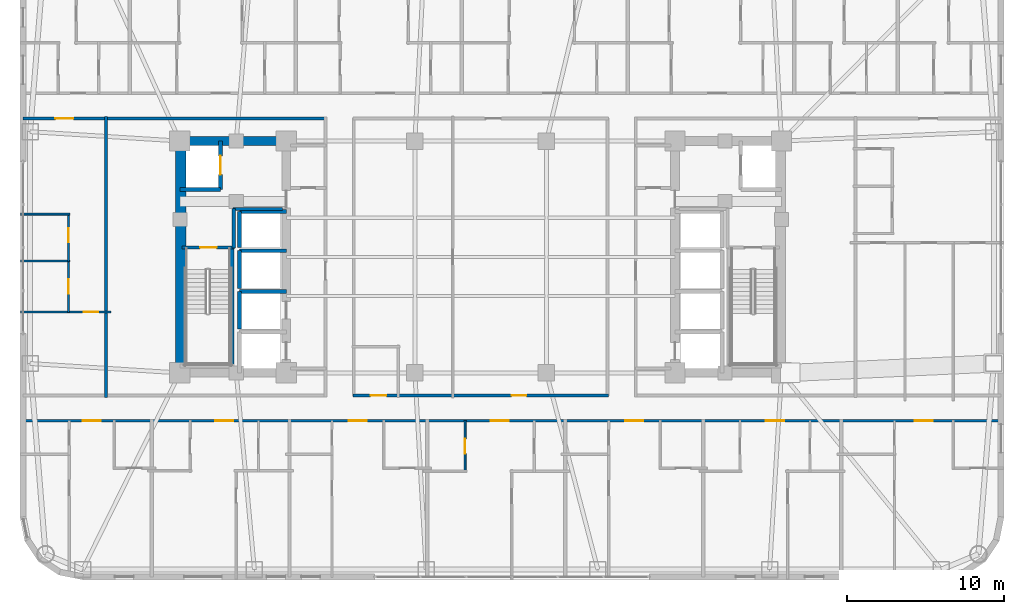
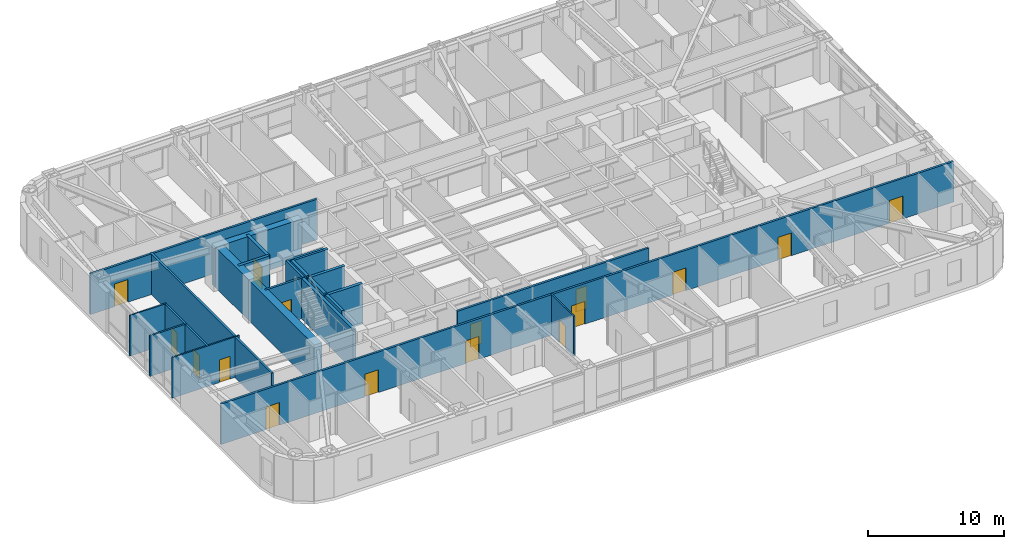
# One storey, part 21 of 28: 24 walls, 16 doors, 16 openings.
"""IFC4 building model written with IfcOpenShell, lengths in metres."""

from ifc_helpers import new_model, si_unit, direction, frame, frame_2d, origin, place, context, subcontext, project, spatial, rectangle, extrude, material, layer, layer_set, type_object, element, fill, save


model = new_model("IFC4")

# Units and contexts
model_context = context("Model", 3, precision=1e-05, world=origin(), true_north=direction((0.0, 1.0)))
body_context = subcontext(model_context, "Body", "Model", "MODEL_VIEW")
ifc_project = project(units=[si_unit("LENGTHUNIT", "METRE"), si_unit("AREAUNIT", "SQUARE_METRE"), si_unit("VOLUMEUNIT", "CUBIC_METRE"), si_unit("PLANEANGLEUNIT", "RADIAN"), si_unit("MASSUNIT", "GRAM", prefix="KILO")], contexts=[model_context])

# Site, building, storey
site_placement = place(None, origin())
site = spatial("IfcSite", under=ifc_project, at=site_placement, CompositionType="ELEMENT")
building_placement = place(site_placement, origin())
building = spatial("IfcBuilding", under=site, at=building_placement, Name="Voryun Gate Residences", CompositionType="ELEMENT")
storey_placement = place(building_placement, frame((0.0, 0.0, 117.0)))
storey = spatial("IfcBuildingStorey", under=building, at=storey_placement, Name="L28", CompositionType="ELEMENT", Elevation=117.0)

# Walls
ifc_material_1 = material(Name="Concrete C60/75", Category="concrete")
ifc_layer_1 = layer(ifc_material_1, 0.550048828125, Name="CW_CORE_550")
ifc_layer_set_1 = layer_set([ifc_layer_1], Name="Concrete C60/75")
wall_type_1 = type_object("IfcWallType", Name="CW_CORE_550", PredefinedType="SHEAR", material=ifc_layer_set_1)
wall_1_placement = place(storey_placement, frame((-19.47509765625, 7.39990234375, 0.0), z_axis=(0.0, 0.0, 1.0), x_axis=(1.0, 0.0, 0.0)))
element("IfcWall", 1, at=wall_1_placement, inside=storey, type_object=wall_type_1, Name="L28 Core shear wall CW-L28-WN", PredefinedType="SHEAR", context=body_context, shape_type="SweptSolid", body=[
    extrude(rectangle(XDim=7.35009765625, YDim=0.550048828125, at=frame_2d((3.675048828125, 0.0))), origin(), (0.0, 0.0, 1.0), 3.64990234375),
])
ifc_material_2 = material(Name="Concrete C60/75", Category="concrete")
ifc_layer_2 = layer(ifc_material_2, 0.64990234375, Name="CW_CORE_650")
ifc_layer_set_2 = layer_set([ifc_layer_2], Name="Concrete C60/75")
wall_type_2 = type_object("IfcWallType", Name="CW_CORE_650", PredefinedType="SHEAR", material=ifc_layer_set_2)
wall_2_placement = place(storey_placement, frame((-19.14501953125, -7.39990234375, 0.0), z_axis=(0.0, 0.0, 1.0), x_axis=(0.0, 1.0, 0.0)))
element("IfcWall", 2, at=wall_2_placement, inside=storey, type_object=wall_type_2, Name="L28 Core shear wall CW-L28-WW", PredefinedType="SHEAR", context=body_context, shape_type="SweptSolid", body=[
    extrude(rectangle(XDim=14.7998046875, YDim=0.64990234375, at=frame_2d((7.39990234375, 0.0))), origin(), (0.0, 0.0, 1.0), 3.64990234375),
])

# Wall, opening, door
ifc_material_3 = material(Name="Gypsum acoustic fireboard")
ifc_layer_3 = layer(ifc_material_3, 0.179931640625, Name="W_CORR_RATED_180")
ifc_layer_set_3 = layer_set([ifc_layer_3], Name="Gypsum acoustic fireboard")
wall_type_3 = type_object("IfcWallType", Name="W_CORR_RATED_180", PredefinedType="PARTITIONING", material=ifc_layer_set_3)
wall_3_placement = place(storey_placement, frame((-19.06005859375, 0.60009765625, 0.0), z_axis=(0.0, 0.0, 1.0), x_axis=(1.0, 0.0, 0.0)))
wall_3 = element("IfcWall", 3, at=wall_3_placement, inside=storey, type_object=wall_type_3, Name="Partition wall WP-L28-STV-W", PredefinedType="PARTITIONING", context=body_context, shape_type="SweptSolid", body=[
    extrude(rectangle(XDim=3.360107421875, YDim=0.179931640625, at=frame_2d((1.68017578125, 0.0))), origin(), (0.0, 0.0, 1.0), 3.64990234375),
])
opening_1_placement = place(wall_3_placement, frame((1.155029296875, 0.0, 0.0)))
opening_1 = element("IfcOpeningElement", 4, at=opening_1_placement, cuts=wall_3, Name="Opening D-FD60-1", PredefinedType="OPENING", context=body_context, shape_type="SweptSolid", body=[
    extrude(rectangle(XDim=1.050048828125, YDim=2.050048828125, at=frame_2d((0.52490234375, 1.02490234375))), frame((0.0, 0.099853515625, 0.0), z_axis=(0.0, -1.0, 0.0), x_axis=(1.0, 0.0, 0.0)), (0.0, 0.0, 1.0), 0.199951171875),
])
ifc_material_4 = material(Name="Painted steel fire door", Category="steel")
door_type_1 = type_object("IfcDoorType", Name="DR_FD60_STAIR_1050", OperationType="NOTDEFINED", PredefinedType="DOOR", material=ifc_material_4)
door_1_placement = place(opening_1_placement, origin())
door_1 = element("IfcDoor", 5, at=door_1_placement, inside=storey, type_object=door_type_1, Name="Door DR-L28-ST-W", OperationType="SINGLE_SWING_LEFT", OverallHeight=2.050048828125, OverallWidth=1.050048828125, PredefinedType="DOOR", context=body_context, shape_type="SweptSolid", body=[
    extrude(rectangle(XDim=1.050048828125, YDim=2.050048828125, at=frame_2d((0.52490234375, 1.02490234375))), frame((0.0, 0.02490234375, 0.0), z_axis=(0.0, -1.0, 0.0), x_axis=(1.0, 0.0, 0.0)), (0.0, 0.0, 1.0), 0.050048828125),
])
fill(opening_1, door_1)

wall_4_placement = place(storey_placement, frame((-29.2099609375, 8.840087890625, 0.0), z_axis=(0.0, 0.0, 1.0), x_axis=(1.0, 0.0, 0.0)))
wall_4 = element("IfcWall", 6, at=wall_4_placement, inside=storey, type_object=wall_type_3, Name="Partition wall WP-L28-CWING-WN", PredefinedType="PARTITIONING", context=body_context, shape_type="SweptSolid", body=[
    extrude(rectangle(XDim=19.330078125, YDim=0.179931640625, at=frame_2d((9.6650390625, 0.0))), origin(), (0.0, 0.0, 1.0), 3.64990234375),
])
opening_2_placement = place(wall_4_placement, frame((2.0654296875, 0.0, 0.0)))
opening_2 = element("IfcOpeningElement", 7, at=opening_2_placement, cuts=wall_4, Name="Opening D-UNIT-1", PredefinedType="OPENING", context=body_context, shape_type="SweptSolid", body=[
    extrude(rectangle(XDim=1.14990234375, YDim=2.050048828125, at=frame_2d((0.574951171875, 1.02490234375))), frame((0.0, 0.099853515625, 0.0), z_axis=(0.0, -1.0, 0.0), x_axis=(1.0, 0.0, 0.0)), (0.0, 0.0, 1.0), 0.199951171875),
])
ifc_material_5 = material(Name="Armoured timber-clad fire door", Category="wood")
door_type_2 = type_object("IfcDoorType", Name="DR_UNIT_ENTRY_1150", OperationType="NOTDEFINED", PredefinedType="DOOR", material=ifc_material_5)
door_2_placement = place(opening_2_placement, origin())
door_2 = element("IfcDoor", 8, at=door_2_placement, inside=storey, type_object=door_type_2, Name="Door DR-L28-WE1N", OperationType="SINGLE_SWING_LEFT", OverallHeight=2.050048828125, OverallWidth=1.14990234375, PredefinedType="DOOR", context=body_context, shape_type="SweptSolid", body=[
    extrude(rectangle(XDim=1.14990234375, YDim=2.050048828125, at=frame_2d((0.574951171875, 1.02490234375))), frame((0.0, 0.02490234375, 0.0), z_axis=(0.0, -1.0, 0.0), x_axis=(1.0, 0.0, 0.0)), (0.0, 0.0, 1.0), 0.050048828125),
])
fill(opening_2, door_2)

# Wall, openings, doors
wall_5_placement = place(storey_placement, frame((-8.14990234375, -8.840087890625, 0.0), z_axis=(0.0, 0.0, 1.0), x_axis=(1.0, 0.0, 0.0)))
wall_5 = element("IfcWall", 9, at=wall_5_placement, inside=storey, type_object=wall_type_3, Name="Partition wall WP-L28-Z1S", PredefinedType="PARTITIONING", context=body_context, shape_type="SweptSolid", body=[
    extrude(rectangle(XDim=16.2998046875, YDim=0.179931640625, at=frame_2d((8.14990234375, 0.0))), origin(), (0.0, 0.0, 1.0), 3.64990234375),
])
opening_3_placement = place(wall_5_placement, frame((1.1298828125, 0.0, 0.0)))
opening_3 = element("IfcOpeningElement", 10, at=opening_3_placement, cuts=wall_5, Name="Opening D-AWC-1", PredefinedType="OPENING", context=body_context, shape_type="SweptSolid", body=[
    extrude(rectangle(XDim=1.0, YDim=2.050048828125, at=frame_2d((0.5, 1.02490234375))), frame((0.0, 0.099853515625, 0.0), z_axis=(0.0, -1.0, 0.0), x_axis=(1.0, 0.0, 0.0)), (0.0, 0.0, 1.0), 0.199951171875),
])
opening_4_placement = place(wall_5_placement, frame((10.1201171875, 0.0, 0.0)))
opening_4 = element("IfcOpeningElement", 11, at=opening_4_placement, cuts=wall_5, Name="Opening D-INT-1", PredefinedType="OPENING", context=body_context, shape_type="SweptSolid", body=[
    extrude(rectangle(XDim=0.949951171875, YDim=2.050048828125, at=frame_2d((0.47509765625, 1.02490234375))), frame((0.0, 0.099853515625, 0.0), z_axis=(0.0, -1.0, 0.0), x_axis=(1.0, 0.0, 0.0)), (0.0, 0.0, 1.0), 0.199951171875),
])
ifc_material_6 = material(Name="Architectural oak veneer")
door_type_3 = type_object("IfcDoorType", Name="DR_ACC_WC_1000", OperationType="NOTDEFINED", PredefinedType="DOOR", material=ifc_material_6)
door_3_placement = place(opening_3_placement, origin())
door_3 = element("IfcDoor", 12, at=door_3_placement, inside=storey, type_object=door_type_3, Name="Door DR-L28-CMWC-D", OperationType="SINGLE_SWING_LEFT", OverallHeight=2.050048828125, OverallWidth=1.0, PredefinedType="DOOR", context=body_context, shape_type="SweptSolid", body=[
    extrude(rectangle(XDim=1.0, YDim=2.050048828125, at=frame_2d((0.5, 1.02490234375))), frame((0.0, 0.02490234375, 0.0), z_axis=(0.0, -1.0, 0.0), x_axis=(1.0, 0.0, 0.0)), (0.0, 0.0, 1.0), 0.050048828125),
])
fill(opening_3, door_3)
ifc_material_7 = material(Name="Architectural oak veneer")
door_type_4 = type_object("IfcDoorType", Name="DR_INT_ROOM_950", OperationType="NOTDEFINED", PredefinedType="DOOR", material=ifc_material_7)
door_4_placement = place(opening_4_placement, origin())
door_4 = element("IfcDoor", 13, at=door_4_placement, inside=storey, type_object=door_type_4, Name="Door DR-L28-CMIDZ1S", OperationType="SINGLE_SWING_RIGHT", OverallHeight=2.050048828125, OverallWidth=0.949951171875, PredefinedType="DOOR", context=body_context, shape_type="SweptSolid", body=[
    extrude(rectangle(XDim=0.949951171875, YDim=2.050048828125, at=frame_2d((0.47509765625, 1.02490234375))), frame((0.0, 0.02490234375, 0.0), z_axis=(0.0, -1.0, 0.0), x_axis=(1.0, 0.0, 0.0)), (0.0, 0.0, 1.0), 0.050048828125),
])
fill(opening_4, door_4)

wall_6_placement = place(storey_placement, frame((-29.2099609375, -10.449951171875, 0.0), z_axis=(0.0, 0.0, 1.0), x_axis=(1.0, 0.0, 0.0)))
wall_6 = element("IfcWall", 14, at=wall_6_placement, inside=storey, type_object=wall_type_3, Name="Partition wall WP-L28-SCORR", PredefinedType="PARTITIONING", context=body_context, shape_type="SweptSolid", body=[
    extrude(rectangle(XDim=62.419921875, YDim=0.179931640625, at=frame_2d((31.2099609375, 0.0))), origin(), (0.0, 0.0, 1.0), 3.64990234375),
])
opening_5_placement = place(wall_6_placement, frame((3.81298828125, 0.0, 0.0)))
opening_5 = element("IfcOpeningElement", 15, at=opening_5_placement, cuts=wall_6, Name="Opening D-UNIT-1", PredefinedType="OPENING", context=body_context, shape_type="SweptSolid", body=[
    extrude(rectangle(XDim=1.14990234375, YDim=2.050048828125, at=frame_2d((0.574951171875, 1.02490234375))), frame((0.0, 0.099853515625, 0.0), z_axis=(0.0, -1.0, 0.0), x_axis=(1.0, 0.0, 0.0)), (0.0, 0.0, 1.0), 0.199951171875),
])
opening_6_placement = place(wall_6_placement, frame((12.27099609375, 0.0, 0.0)))
opening_6 = element("IfcOpeningElement", 16, at=opening_6_placement, cuts=wall_6, Name="Opening D-UNIT-1", PredefinedType="OPENING", context=body_context, shape_type="SweptSolid", body=[
    extrude(rectangle(XDim=1.14990234375, YDim=2.050048828125, at=frame_2d((0.574951171875, 1.02490234375))), frame((0.0, 0.099853515625, 0.0), z_axis=(0.0, -1.0, 0.0), x_axis=(1.0, 0.0, 0.0)), (0.0, 0.0, 1.0), 0.199951171875),
])
opening_7_placement = place(wall_6_placement, frame((20.803955078125, 0.0, 0.0)))
opening_7 = element("IfcOpeningElement", 17, at=opening_7_placement, cuts=wall_6, Name="Opening D-UNIT-1", PredefinedType="OPENING", context=body_context, shape_type="SweptSolid", body=[
    extrude(rectangle(XDim=1.14990234375, YDim=2.050048828125, at=frame_2d((0.574951171875, 1.02490234375))), frame((0.0, 0.099853515625, 0.0), z_axis=(0.0, -1.0, 0.0), x_axis=(1.0, 0.0, 0.0)), (0.0, 0.0, 1.0), 0.199951171875),
])
opening_8_placement = place(wall_6_placement, frame((29.848388671875, 0.0, 0.0)))
opening_8 = element("IfcOpeningElement", 18, at=opening_8_placement, cuts=wall_6, Name="Opening D-UNIT-1", PredefinedType="OPENING", context=body_context, shape_type="SweptSolid", body=[
    extrude(rectangle(XDim=1.14990234375, YDim=2.050048828125, at=frame_2d((0.574951171875, 1.02490234375))), frame((0.0, 0.099853515625, 0.0), z_axis=(0.0, -1.0, 0.0), x_axis=(1.0, 0.0, 0.0)), (0.0, 0.0, 1.0), 0.199951171875),
])
opening_9_placement = place(wall_6_placement, frame((38.449951171875, 0.0, 0.0)))
opening_9 = element("IfcOpeningElement", 19, at=opening_9_placement, cuts=wall_6, Name="Opening D-UNIT-1", PredefinedType="OPENING", context=body_context, shape_type="SweptSolid", body=[
    extrude(rectangle(XDim=1.14990234375, YDim=2.050048828125, at=frame_2d((0.574951171875, 1.02490234375))), frame((0.0, 0.099853515625, 0.0), z_axis=(0.0, -1.0, 0.0), x_axis=(1.0, 0.0, 0.0)), (0.0, 0.0, 1.0), 0.199951171875),
])
opening_10_placement = place(wall_6_placement, frame((47.419677734375, 0.0, 0.0)))
opening_10 = element("IfcOpeningElement", 20, at=opening_10_placement, cuts=wall_6, Name="Opening D-UNIT-1", PredefinedType="OPENING", context=body_context, shape_type="SweptSolid", body=[
    extrude(rectangle(XDim=1.14990234375, YDim=2.050048828125, at=frame_2d((0.574951171875, 1.02490234375))), frame((0.0, 0.099853515625, 0.0), z_axis=(0.0, -1.0, 0.0), x_axis=(1.0, 0.0, 0.0)), (0.0, 0.0, 1.0), 0.199951171875),
])
opening_11_placement = place(wall_6_placement, frame((56.920166015625, 0.0, 0.0)))
opening_11 = element("IfcOpeningElement", 21, at=opening_11_placement, cuts=wall_6, Name="Opening D-UNIT-1", PredefinedType="OPENING", context=body_context, shape_type="SweptSolid", body=[
    extrude(rectangle(XDim=1.14990234375, YDim=2.050048828125, at=frame_2d((0.574951171875, 1.02490234375))), frame((0.0, 0.099853515625, 0.0), z_axis=(0.0, -1.0, 0.0), x_axis=(1.0, 0.0, 0.0)), (0.0, 0.0, 1.0), 0.199951171875),
])
door_5_placement = place(opening_5_placement, origin())
door_5 = element("IfcDoor", 22, at=door_5_placement, inside=storey, type_object=door_type_2, Name="Door DR-L28-SENT-1", OperationType="SINGLE_SWING_RIGHT", OverallHeight=2.050048828125, OverallWidth=1.14990234375, PredefinedType="DOOR", context=body_context, shape_type="SweptSolid", body=[
    extrude(rectangle(XDim=1.14990234375, YDim=2.050048828125, at=frame_2d((0.574951171875, 1.02490234375))), frame((0.0, 0.02490234375, 0.0), z_axis=(0.0, -1.0, 0.0), x_axis=(1.0, 0.0, 0.0)), (0.0, 0.0, 1.0), 0.050048828125),
])
fill(opening_5, door_5)
door_6_placement = place(opening_6_placement, origin())
door_6 = element("IfcDoor", 23, at=door_6_placement, inside=storey, type_object=door_type_2, Name="Door DR-L28-SENT-2", OperationType="SINGLE_SWING_LEFT", OverallHeight=2.050048828125, OverallWidth=1.14990234375, PredefinedType="DOOR", context=body_context, shape_type="SweptSolid", body=[
    extrude(rectangle(XDim=1.14990234375, YDim=2.050048828125, at=frame_2d((0.574951171875, 1.02490234375))), frame((0.0, 0.02490234375, 0.0), z_axis=(0.0, -1.0, 0.0), x_axis=(1.0, 0.0, 0.0)), (0.0, 0.0, 1.0), 0.050048828125),
])
fill(opening_6, door_6)
door_7_placement = place(opening_7_placement, origin())
door_7 = element("IfcDoor", 24, at=door_7_placement, inside=storey, type_object=door_type_2, Name="Door DR-L28-SENT-3", OperationType="SINGLE_SWING_RIGHT", OverallHeight=2.050048828125, OverallWidth=1.14990234375, PredefinedType="DOOR", context=body_context, shape_type="SweptSolid", body=[
    extrude(rectangle(XDim=1.14990234375, YDim=2.050048828125, at=frame_2d((0.574951171875, 1.02490234375))), frame((0.0, 0.02490234375, 0.0), z_axis=(0.0, -1.0, 0.0), x_axis=(1.0, 0.0, 0.0)), (0.0, 0.0, 1.0), 0.050048828125),
])
fill(opening_7, door_7)
door_8_placement = place(opening_8_placement, origin())
door_8 = element("IfcDoor", 25, at=door_8_placement, inside=storey, type_object=door_type_2, Name="Door DR-L28-SENT-4", OperationType="SINGLE_SWING_LEFT", OverallHeight=2.050048828125, OverallWidth=1.14990234375, PredefinedType="DOOR", context=body_context, shape_type="SweptSolid", body=[
    extrude(rectangle(XDim=1.14990234375, YDim=2.050048828125, at=frame_2d((0.574951171875, 1.02490234375))), frame((0.0, 0.02490234375, 0.0), z_axis=(0.0, -1.0, 0.0), x_axis=(1.0, 0.0, 0.0)), (0.0, 0.0, 1.0), 0.050048828125),
])
fill(opening_8, door_8)
door_9_placement = place(opening_9_placement, origin())
door_9 = element("IfcDoor", 26, at=door_9_placement, inside=storey, type_object=door_type_2, Name="Door DR-L28-SENT-5", OperationType="SINGLE_SWING_RIGHT", OverallHeight=2.050048828125, OverallWidth=1.14990234375, PredefinedType="DOOR", context=body_context, shape_type="SweptSolid", body=[
    extrude(rectangle(XDim=1.14990234375, YDim=2.050048828125, at=frame_2d((0.574951171875, 1.02490234375))), frame((0.0, 0.02490234375, 0.0), z_axis=(0.0, -1.0, 0.0), x_axis=(1.0, 0.0, 0.0)), (0.0, 0.0, 1.0), 0.050048828125),
])
fill(opening_9, door_9)
door_10_placement = place(opening_10_placement, origin())
door_10 = element("IfcDoor", 27, at=door_10_placement, inside=storey, type_object=door_type_2, Name="Door DR-L28-SENT-6", OperationType="SINGLE_SWING_LEFT", OverallHeight=2.050048828125, OverallWidth=1.14990234375, PredefinedType="DOOR", context=body_context, shape_type="SweptSolid", body=[
    extrude(rectangle(XDim=1.14990234375, YDim=2.050048828125, at=frame_2d((0.574951171875, 1.02490234375))), frame((0.0, 0.02490234375, 0.0), z_axis=(0.0, -1.0, 0.0), x_axis=(1.0, 0.0, 0.0)), (0.0, 0.0, 1.0), 0.050048828125),
])
fill(opening_10, door_10)
door_11_placement = place(opening_11_placement, origin())
door_11 = element("IfcDoor", 28, at=door_11_placement, inside=storey, type_object=door_type_2, Name="Door DR-L28-SENT-7", OperationType="SINGLE_SWING_RIGHT", OverallHeight=2.050048828125, OverallWidth=1.14990234375, PredefinedType="DOOR", context=body_context, shape_type="SweptSolid", body=[
    extrude(rectangle(XDim=1.14990234375, YDim=2.050048828125, at=frame_2d((0.574951171875, 1.02490234375))), frame((0.0, 0.02490234375, 0.0), z_axis=(0.0, -1.0, 0.0), x_axis=(1.0, 0.0, 0.0)), (0.0, 0.0, 1.0), 0.050048828125),
])
fill(opening_11, door_11)

# Walls
wall_7_placement = place(storey_placement, frame((-23.919921875, -8.9599609375, 0.0), z_axis=(0.0, 0.0, 1.0), x_axis=(0.0, 1.0, 0.0)))
element("IfcWall", 29, at=wall_7_placement, inside=storey, type_object=wall_type_3, Name="Partition wall WP-L28-WCOR", PredefinedType="PARTITIONING", context=body_context, shape_type="SweptSolid", body=[
    extrude(rectangle(XDim=17.919921875, YDim=0.179931640625, at=frame_2d((8.9599609375, 0.0))), origin(), (0.0, 0.0, 1.0), 3.64990234375),
])
ifc_material_8 = material(Name="Concrete C40/50", Category="concrete")
ifc_layer_4 = layer(ifc_material_8, 0.199951171875, Name="W_FF_LOBBY_200")
ifc_layer_set_4 = layer_set([ifc_layer_4], Name="Concrete C40/50")
wall_type_4 = type_object("IfcWallType", Name="W_FF_LOBBY_200", PredefinedType="PARTITIONING", material=ifc_layer_set_4)
wall_8_placement = place(storey_placement, frame((-15.760009765625, 0.580078125, 0.0), z_axis=(0.0, 0.0, 1.0), x_axis=(0.0, 1.0, 0.0)))
element("IfcWall", 30, at=wall_8_placement, inside=storey, type_object=wall_type_4, Name="Partition wall WP-L28-FFP0-W", PredefinedType="PARTITIONING", context=body_context, shape_type="SweptSolid", body=[
    extrude(rectangle(XDim=2.52001953125, YDim=0.199951171875, at=frame_2d((1.260009765625, 0.0))), origin(), (0.0, 0.0, 1.0), 3.64990234375),
])
wall_9_placement = place(storey_placement, frame((-15.820068359375, 3.06005859375, 0.0), z_axis=(0.0, 0.0, 1.0), x_axis=(1.0, 0.0, 0.0)))
element("IfcWall", 31, at=wall_9_placement, inside=storey, type_object=wall_type_4, Name="Partition wall WP-L28-FFPS-W", PredefinedType="PARTITIONING", context=body_context, shape_type="SweptSolid", body=[
    extrude(rectangle(XDim=3.16015625, YDim=0.199951171875, at=frame_2d((1.580078125, 0.0))), origin(), (0.0, 0.0, 1.0), 3.64990234375),
])
ifc_material_9 = material(Name="Concrete C50/60", Category="concrete")
ifc_layer_5 = layer(ifc_material_9, 0.25, Name="W_SHAFT_RC250")
ifc_layer_set_5 = layer_set([ifc_layer_5], Name="Concrete C50/60")
wall_type_5 = type_object("IfcWallType", Name="W_SHAFT_RC250", PredefinedType="SOLIDWALL", material=ifc_layer_set_5)
wall_10_placement = place(storey_placement, frame((-15.860107421875, -7.0849609375, 0.0), z_axis=(0.0, 0.0, 1.0), x_axis=(0.0, 1.0, 0.0)))
element("IfcWall", 32, at=wall_10_placement, inside=storey, type_object=wall_type_5, Name="L28 Stair shaft structural wall W-STR", PredefinedType="SOLIDWALL", context=body_context, shape_type="SweptSolid", body=[
    extrude(rectangle(XDim=7.68505859375, YDim=0.25, at=frame_2d((3.842529296875, 0.0))), origin(), (0.0, 0.0, 1.0), 3.64990234375),
])
wall_11_placement = place(storey_placement, frame((-19.199951171875, 4.300048828125, 0.0), z_axis=(0.0, 0.0, 1.0), x_axis=(1.0, 0.0, 0.0)))
element("IfcWall", 33, at=wall_11_placement, inside=storey, type_object=wall_type_5, Name="Lift shaft wall WSH-L28-EL-FF-W1-S", PredefinedType="SOLIDWALL", context=body_context, shape_type="SweptSolid", body=[
    extrude(rectangle(XDim=2.599853515625, YDim=0.25, at=frame_2d((1.2998046875, 0.0))), origin(), (0.0, 0.0, 1.0), 3.64990234375),
])

# Wall, opening, door
wall_12_placement = place(storey_placement, frame((-16.60009765625, 4.300048828125, 0.0), z_axis=(0.0, 0.0, 1.0), x_axis=(0.0, 1.0, 0.0)))
wall_12 = element("IfcWall", 34, at=wall_12_placement, inside=storey, type_object=wall_type_5, Name="Lift shaft wall WSH-L28-EL-FF-W1-E", PredefinedType="SOLIDWALL", context=body_context, shape_type="SweptSolid", body=[
    extrude(rectangle(XDim=3.099853515625, YDim=0.25, at=frame_2d((1.5498046875, 0.0))), origin(), (0.0, 0.0, 1.0), 3.64990234375),
])
opening_12_placement = place(wall_12_placement, frame((0.949951171875, 0.0, 0.0)))
opening_12 = element("IfcOpeningElement", 35, at=opening_12_placement, cuts=wall_12, Name="Opening LD1", PredefinedType="OPENING", context=body_context, shape_type="SweptSolid", body=[
    extrude(rectangle(XDim=1.199951171875, YDim=2.050048828125, at=frame_2d((0.60009765625, 1.02490234375))), frame((0.0, 0.135009765625, 0.0), z_axis=(0.0, -1.0, 0.0), x_axis=(1.0, 0.0, 0.0)), (0.0, 0.0, 1.0), 0.27001953125),
])
ifc_material_10 = material(Name="Anodised aluminium", Category="aluminium")
door_type_5 = type_object("IfcDoorType", Name="DR_LD_FF_1200", OperationType="NOTDEFINED", PredefinedType="DOOR", material=ifc_material_10)
door_12_placement = place(opening_12_placement, origin())
door_12 = element("IfcDoor", 36, at=door_12_placement, inside=storey, type_object=door_type_5, Name="Lift EL-FF-W1 sliding landing door L28", OperationType="SLIDING_TO_LEFT", OverallHeight=2.050048828125, OverallWidth=1.199951171875, PredefinedType="DOOR", context=body_context, shape_type="SweptSolid", body=[
    extrude(rectangle(XDim=1.199951171875, YDim=2.050048828125, at=frame_2d((0.60009765625, 1.02490234375))), frame((0.0, 0.02490234375, 0.0), z_axis=(0.0, -1.0, 0.0), x_axis=(1.0, 0.0, 0.0)), (0.0, 0.0, 1.0), 0.050048828125),
])
fill(opening_12, door_12)

# Walls
wall_13_placement = place(storey_placement, frame((-12.39990234375, -2.199951171875, 0.0), z_axis=(0.0, 0.0, 1.0), x_axis=(-1.0, 0.0, 0.0)))
element("IfcWall", 37, at=wall_13_placement, inside=storey, type_object=wall_type_5, Name="Lift shaft wall WSH-L28-EL-P2-N", PredefinedType="SOLIDWALL", context=body_context, shape_type="SweptSolid", body=[
    extrude(rectangle(XDim=3.0, YDim=0.25, at=frame_2d((1.5, 0.0))), origin(), (0.0, 0.0, 1.0), 3.64990234375),
])
wall_14_placement = place(storey_placement, frame((-15.39990234375, -2.199951171875, 0.0), z_axis=(0.0, 0.0, 1.0), x_axis=(0.0, -1.0, 0.0)))
element("IfcWall", 38, at=wall_14_placement, inside=storey, type_object=wall_type_5, Name="Lift shaft wall WSH-L28-EL-P2-W", PredefinedType="SOLIDWALL", context=body_context, shape_type="SweptSolid", body=[
    extrude(rectangle(XDim=2.400146484375, YDim=0.25, at=frame_2d((1.2001953125, 0.0))), origin(), (0.0, 0.0, 1.0), 3.64990234375),
])
wall_15_placement = place(storey_placement, frame((-12.39990234375, 0.39990234375, 0.0), z_axis=(0.0, 0.0, 1.0), x_axis=(-1.0, 0.0, 0.0)))
element("IfcWall", 39, at=wall_15_placement, inside=storey, type_object=wall_type_5, Name="Lift shaft wall WSH-L28-EL-P4-N", PredefinedType="SOLIDWALL", context=body_context, shape_type="SweptSolid", body=[
    extrude(rectangle(XDim=3.0, YDim=0.25, at=frame_2d((1.5, 0.0))), origin(), (0.0, 0.0, 1.0), 3.64990234375),
])
wall_16_placement = place(storey_placement, frame((-15.39990234375, 0.39990234375, 0.0), z_axis=(0.0, 0.0, 1.0), x_axis=(0.0, -1.0, 0.0)))
element("IfcWall", 40, at=wall_16_placement, inside=storey, type_object=wall_type_5, Name="Lift shaft wall WSH-L28-EL-P4-W", PredefinedType="SOLIDWALL", context=body_context, shape_type="SweptSolid", body=[
    extrude(rectangle(XDim=2.39990234375, YDim=0.25, at=frame_2d((1.199951171875, 0.0))), origin(), (0.0, 0.0, 1.0), 3.64990234375),
])
wall_17_placement = place(storey_placement, frame((-12.39990234375, 2.89990234375, 0.0), z_axis=(0.0, 0.0, 1.0), x_axis=(-1.0, 0.0, 0.0)))
element("IfcWall", 41, at=wall_17_placement, inside=storey, type_object=wall_type_5, Name="Lift shaft wall WSH-L28-EL-P7-N", PredefinedType="SOLIDWALL", context=body_context, shape_type="SweptSolid", body=[
    extrude(rectangle(XDim=3.0, YDim=0.25, at=frame_2d((1.5, 0.0))), origin(), (0.0, 0.0, 1.0), 3.64990234375),
])
wall_18_placement = place(storey_placement, frame((-15.39990234375, 2.89990234375, 0.0), z_axis=(0.0, 0.0, 1.0), x_axis=(0.0, -1.0, 0.0)))
element("IfcWall", 42, at=wall_18_placement, inside=storey, type_object=wall_type_5, Name="Lift shaft wall WSH-L28-EL-P7-W", PredefinedType="SOLIDWALL", context=body_context, shape_type="SweptSolid", body=[
    extrude(rectangle(XDim=2.2998046875, YDim=0.25, at=frame_2d((1.14990234375, 0.0))), origin(), (0.0, 0.0, 1.0), 3.64990234375),
])

# Wall, opening, door
ifc_material_11 = material(Name="Gypsum acoustic partition")
ifc_layer_6 = layer(ifc_material_11, 0.125, Name="W_UNIT_PART_125")
ifc_layer_set_6 = layer_set([ifc_layer_6], Name="Gypsum acoustic partition")
wall_type_6 = type_object("IfcWallType", Name="W_UNIT_PART_125", PredefinedType="PARTITIONING", material=ifc_layer_set_6)
wall_19_placement = place(storey_placement, frame((-0.99609375, -13.75, 0.0), z_axis=(0.0, 0.0, 1.0), x_axis=(0.0, 1.0, 0.0)))
wall_19 = element("IfcWall", 43, at=wall_19_placement, inside=storey, type_object=wall_type_6, Name="Partition wall WP-L28-S4-IVK", PredefinedType="PARTITIONING", context=body_context, shape_type="SweptSolid", body=[
    extrude(rectangle(XDim=3.320068359375, YDim=0.125, at=frame_2d((1.66015625, 0.0))), origin(), (0.0, 0.0, 1.0), 3.64990234375),
])
opening_13_placement = place(wall_19_placement, frame((1.18505859375, 0.0, 0.0)))
opening_13 = element("IfcOpeningElement", 44, at=opening_13_placement, cuts=wall_19, Name="Opening D-INT-1", PredefinedType="OPENING", context=body_context, shape_type="SweptSolid", body=[
    extrude(rectangle(XDim=0.949951171875, YDim=2.050048828125, at=frame_2d((0.47509765625, 1.02490234375))), frame((0.0, 0.072509765625, 0.0), z_axis=(0.0, -1.0, 0.0), x_axis=(1.0, 0.0, 0.0)), (0.0, 0.0, 1.0), 0.14501953125),
])
door_13_placement = place(opening_13_placement, origin())
door_13 = element("IfcDoor", 45, at=door_13_placement, inside=storey, type_object=door_type_4, Name="Door DR-L28-S4-DK", OperationType="SINGLE_SWING_LEFT", OverallHeight=2.050048828125, OverallWidth=0.949951171875, PredefinedType="DOOR", context=body_context, shape_type="SweptSolid", body=[
    extrude(rectangle(XDim=0.949951171875, YDim=2.050048828125, at=frame_2d((0.47509765625, 1.02490234375))), frame((0.0, 0.02490234375, 0.0), z_axis=(0.0, -1.0, 0.0), x_axis=(1.0, 0.0, 0.0)), (0.0, 0.0, 1.0), 0.050048828125),
])
fill(opening_13, door_13)

# Wall
wall_20_placement = place(storey_placement, frame((-29.360107421875, 2.739990234375, 0.0), z_axis=(0.0, 0.0, 1.0), x_axis=(1.0, 0.0, 0.0)))
element("IfcWall", 46, at=wall_20_placement, inside=storey, type_object=wall_type_6, Name="Partition wall WP-L28-W1-HZ1", PredefinedType="PARTITIONING", context=body_context, shape_type="SweptSolid", body=[
    extrude(rectangle(XDim=3.135986328125, YDim=0.125, at=frame_2d((1.56787109375, 0.0))), origin(), (0.0, 0.0, 1.0), 3.64990234375),
])

# Wall, opening, door
wall_21_placement = place(storey_placement, frame((-29.360107421875, -3.510009765625, 0.0), z_axis=(0.0, 0.0, 1.0), x_axis=(1.0, 0.0, 0.0)))
wall_21 = element("IfcWall", 47, at=wall_21_placement, inside=storey, type_object=wall_type_6, Name="Partition wall WP-L28-W1-HZ3", PredefinedType="PARTITIONING", context=body_context, shape_type="SweptSolid", body=[
    extrude(rectangle(XDim=5.760009765625, YDim=0.125, at=frame_2d((2.8798828125, 0.0))), origin(), (0.0, 0.0, 1.0), 3.64990234375),
])
opening_14_placement = place(wall_21_placement, frame((4.042724609375, 0.0, 0.0)))
opening_14 = element("IfcOpeningElement", 48, at=opening_14_placement, cuts=wall_21, Name="Opening D-INT-2", PredefinedType="OPENING", context=body_context, shape_type="SweptSolid", body=[
    extrude(rectangle(XDim=0.89990234375, YDim=2.050048828125, at=frame_2d((0.449951171875, 1.02490234375))), frame((0.0, 0.072509765625, 0.0), z_axis=(0.0, -1.0, 0.0), x_axis=(1.0, 0.0, 0.0)), (0.0, 0.0, 1.0), 0.14501953125),
])
ifc_material_12 = material(Name="Architectural oak veneer")
door_type_6 = type_object("IfcDoorType", Name="DR_INT_BATH_900", OperationType="NOTDEFINED", PredefinedType="DOOR", material=ifc_material_12)
door_14_placement = place(opening_14_placement, origin())
door_14 = element("IfcDoor", 49, at=door_14_placement, inside=storey, type_object=door_type_6, Name="Door DR-L28-W1-DMB", OperationType="SINGLE_SWING_LEFT", OverallHeight=2.050048828125, OverallWidth=0.89990234375, PredefinedType="DOOR", context=body_context, shape_type="SweptSolid", body=[
    extrude(rectangle(XDim=0.89990234375, YDim=2.050048828125, at=frame_2d((0.449951171875, 1.02490234375))), frame((0.0, 0.02490234375, 0.0), z_axis=(0.0, -1.0, 0.0), x_axis=(1.0, 0.0, 0.0)), (0.0, 0.0, 1.0), 0.050048828125),
])
fill(opening_14, door_14)

# Wall
ifc_material_13 = material(Name="Gypsum moisture-resistant partition")
ifc_layer_7 = layer(ifc_material_13, 0.14990234375, Name="W_WET_PLUMB_150")
ifc_layer_set_7 = layer_set([ifc_layer_7], Name="Gypsum moisture-resistant partition")
wall_type_7 = type_object("IfcWallType", Name="W_WET_PLUMB_150", PredefinedType="PLUMBINGWALL", material=ifc_layer_set_7)
wall_22_placement = place(storey_placement, frame((-29.360107421875, -0.260009765625, 0.0), z_axis=(0.0, 0.0, 1.0), x_axis=(1.0, 0.0, 0.0)))
element("IfcWall", 50, at=wall_22_placement, inside=storey, type_object=wall_type_7, Name="Partition wall WP-L28-W1-HZ2", PredefinedType="PLUMBINGWALL", context=body_context, shape_type="SweptSolid", body=[
    extrude(rectangle(XDim=3.135986328125, YDim=0.14990234375, at=frame_2d((1.56787109375, 0.0))), origin(), (0.0, 0.0, 1.0), 3.64990234375),
])

# Wall, opening, door
wall_23_placement = place(storey_placement, frame((-26.303955078125, -3.550048828125, 0.0), z_axis=(0.0, 0.0, 1.0), x_axis=(0.0, 1.0, 0.0)))
wall_23 = element("IfcWall", 51, at=wall_23_placement, inside=storey, type_object=wall_type_7, Name="Partition wall WP-L28-W1-VKB1", PredefinedType="PLUMBINGWALL", context=body_context, shape_type="SweptSolid", body=[
    extrude(rectangle(XDim=3.330078125, YDim=0.14990234375, at=frame_2d((1.6650390625, 0.0))), origin(), (0.0, 0.0, 1.0), 3.64990234375),
])
opening_15_placement = place(wall_23_placement, frame((1.215087890625, 0.0, 0.0)))
opening_15 = element("IfcOpeningElement", 52, at=opening_15_placement, cuts=wall_23, Name="Opening D-INT-2", PredefinedType="OPENING", context=body_context, shape_type="SweptSolid", body=[
    extrude(rectangle(XDim=0.89990234375, YDim=2.050048828125, at=frame_2d((0.449951171875, 1.02490234375))), frame((0.0, 0.0849609375, 0.0), z_axis=(0.0, -1.0, 0.0), x_axis=(1.0, 0.0, 0.0)), (0.0, 0.0, 1.0), 0.169921875),
])
door_15_placement = place(opening_15_placement, origin())
door_15 = element("IfcDoor", 53, at=door_15_placement, inside=storey, type_object=door_type_6, Name="Door DR-L28-W1-DB", OperationType="SINGLE_SWING_LEFT", OverallHeight=2.050048828125, OverallWidth=0.89990234375, PredefinedType="DOOR", context=body_context, shape_type="SweptSolid", body=[
    extrude(rectangle(XDim=0.89990234375, YDim=2.050048828125, at=frame_2d((0.449951171875, 1.02490234375))), frame((0.0, 0.02490234375, 0.0), z_axis=(0.0, -1.0, 0.0), x_axis=(1.0, 0.0, 0.0)), (0.0, 0.0, 1.0), 0.050048828125),
])
fill(opening_15, door_15)

wall_24_placement = place(storey_placement, frame((-26.303955078125, -0.300048828125, 0.0), z_axis=(0.0, 0.0, 1.0), x_axis=(0.0, 1.0, 0.0)))
wall_24 = element("IfcWall", 54, at=wall_24_placement, inside=storey, type_object=wall_type_7, Name="Partition wall WP-L28-W1-VKB2", PredefinedType="PLUMBINGWALL", context=body_context, shape_type="SweptSolid", body=[
    extrude(rectangle(XDim=3.080078125, YDim=0.14990234375, at=frame_2d((1.5400390625, 0.0))), origin(), (0.0, 0.0, 1.0), 3.64990234375),
])
opening_16_placement = place(wall_24_placement, frame((1.243896484375, 0.0, 0.0)))
opening_16 = element("IfcOpeningElement", 55, at=opening_16_placement, cuts=wall_24, Name="Opening D-INT-2", PredefinedType="OPENING", context=body_context, shape_type="SweptSolid", body=[
    extrude(rectangle(XDim=0.89990234375, YDim=2.050048828125, at=frame_2d((0.449951171875, 1.02490234375))), frame((0.0, 0.0849609375, 0.0), z_axis=(0.0, -1.0, 0.0), x_axis=(1.0, 0.0, 0.0)), (0.0, 0.0, 1.0), 0.169921875),
])
door_16_placement = place(opening_16_placement, origin())
door_16 = element("IfcDoor", 56, at=door_16_placement, inside=storey, type_object=door_type_6, Name="Door DR-L28-W1-DK", OperationType="SINGLE_SWING_RIGHT", OverallHeight=2.050048828125, OverallWidth=0.89990234375, PredefinedType="DOOR", context=body_context, shape_type="SweptSolid", body=[
    extrude(rectangle(XDim=0.89990234375, YDim=2.050048828125, at=frame_2d((0.449951171875, 1.02490234375))), frame((0.0, 0.02490234375, 0.0), z_axis=(0.0, -1.0, 0.0), x_axis=(1.0, 0.0, 0.0)), (0.0, 0.0, 1.0), 0.050048828125),
])
fill(opening_16, door_16)

save(model, "model.ifc")
